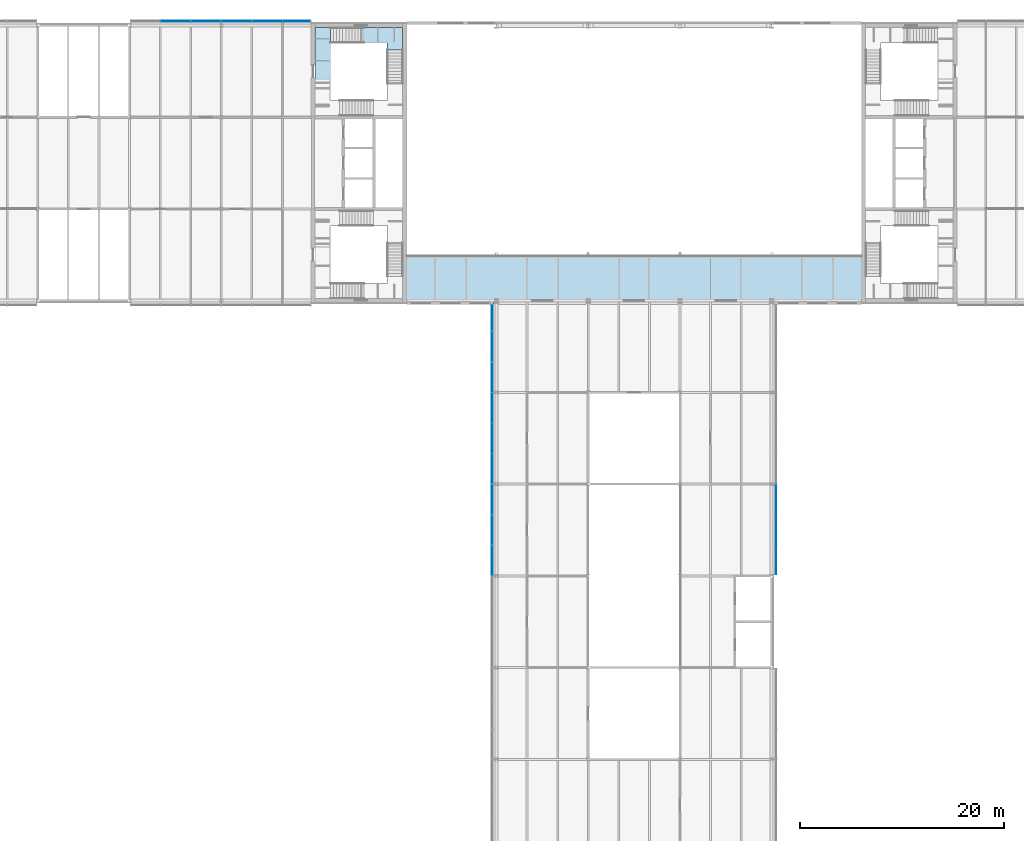
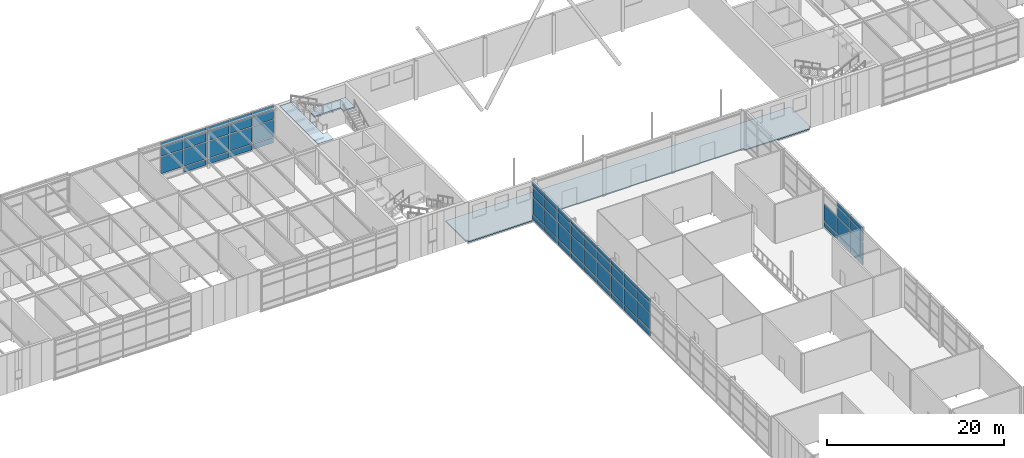
# One storey, part 32 of 46: 65 plates, 3 slabs, 4 elements without a shape of their own.
"""IFC4 building model written with IfcOpenShell, lengths in metres."""

from ifc_helpers import new_model, si_unit, direction, frame, origin, origin_2d, place, context, subcontext, project, spatial, polyline, rectangle, outline, extrude, material, layer, layer_set, type_object, element, aggregate, save


model = new_model("IFC4")

# Units and contexts
model_context = context("Model", 3, precision=1e-05, world=origin(), true_north=direction((0.0, 1.0)))
body_context = subcontext(model_context, "Body", "Model", "MODEL_VIEW")
ifc_project = project(units=[si_unit("LENGTHUNIT", "METRE"), si_unit("AREAUNIT", "SQUARE_METRE"), si_unit("VOLUMEUNIT", "CUBIC_METRE"), si_unit("PLANEANGLEUNIT", "RADIAN"), si_unit("MASSUNIT", "GRAM", prefix="KILO")], contexts=[model_context])

# Site, building, storey
site_placement = place(None, origin())
site = spatial("IfcSite", under=ifc_project, at=site_placement, CompositionType="ELEMENT")
building_placement = place(site_placement, origin())
building = spatial("IfcBuilding", under=site, at=building_placement, Name="Azimuth Sports and Learning Centre", CompositionType="ELEMENT")
storey_placement = place(building_placement, frame((0.0, 0.0, 21.60009765625)))
storey = spatial("IfcBuildingStorey", under=building, at=storey_placement, Name="L04", CompositionType="ELEMENT", Elevation=21.60009765625)

# Stair, slabs
ifc_material_1 = material(Name="Concrete C32/40", Category="concrete")
stair_type = type_object("IfcStairType", Name="Square-well stair core 5400 storey", PredefinedType="THREE_QUARTER_TURN_STAIR", material=ifc_material_1)
stair_placement = place(storey_placement, origin())
stair = element("IfcStair", 1, at=stair_placement, inside=storey, type_object=stair_type, Name="Stair W2 L04-L05", PredefinedType="THREE_QUARTER_TURN_STAIR")
ifc_material_2 = material(Name="Concrete C32/40", Category="concrete")
ifc_layer_1 = layer(ifc_material_2, 0.199951171875)
ifc_layer_set_1 = layer_set([ifc_layer_1], Name="Concrete C32/40")
slab_type_1 = type_object("IfcSlabType", Name="Concrete stair landing", PredefinedType="LANDING", material=ifc_layer_set_1)
slab_1_placement = place(storey_placement, frame((0.0, 0.0, 3.39990234375)))
slab_1 = element("IfcSlab", 2, at=slab_1_placement, type_object=slab_type_1, Name="Stair W2 L04 landing 3", PredefinedType="LANDING", context=body_context, shape_type="SweptSolid", body=[
    extrude(outline(polyline([(61.2900390625, 115.2900390625), (61.2900390625, 114.609375), (62.7900390625, 114.609375), (62.7900390625, 116.7900390625), (57.909912109375, 116.7900390625), (57.909912109375, 115.2900390625), (61.2900390625, 115.2900390625)])), origin(), (0.0, 0.0, 1.0), 0.199951171875),
])
slab_2_placement = place(storey_placement, frame((0.0, 0.0, 5.199951171875)))
slab_2 = element("IfcSlab", 3, at=slab_2_placement, type_object=slab_type_1, Name="Stair W2 L04 landing 4", PredefinedType="LANDING", context=body_context, shape_type="SweptSolid", body=[
    extrude(outline(polyline([(55.7099609375, 115.2900390625), (55.710693359375, 115.2900390625), (55.710693359375, 116.7900390625), (54.2099609375, 116.7900390625), (54.2099609375, 108.159912109375), (56.25, 108.159912109375), (56.25, 109.659912109375), (55.7099609375, 109.659912109375), (55.7099609375, 115.2900390625)])), origin(), (0.0, 0.0, 1.0), 0.199951171875),
])
aggregate(stair, [slab_1, slab_2])

# Slab
ifc_material_3 = material(Name="Concrete C30/37", Category="concrete")
ifc_layer_2 = layer(ifc_material_3, 0.14990234375)
ifc_layer_set_2 = layer_set([ifc_layer_2], Name="Concrete C30/37")
slab_type_2 = type_object("IfcSlabType", Name="Gallery floor slab 150", PredefinedType="FLOOR", material=ifc_layer_set_2)
slab_3_placement = place(storey_placement, frame((0.0, 0.0, -0.150146484375)))
element("IfcSlab", 4, at=slab_3_placement, inside=storey, type_object=slab_type_2, Name="Slab GALLERY L04", PredefinedType="FLOOR", context=body_context, shape_type="SweptSolid", body=[
    extrude(outline(polyline([(63.199951171875, 89.699951171875), (71.699951171875, 89.699951171875), (71.699951171875, 90.0), (99.300048828125, 90.0), (99.300048828125, 89.699951171875), (107.800048828125, 89.699951171875), (107.800048828125, 90.0), (108.0, 90.0), (108.0, 94.5), (63.0, 94.5), (63.0, 90.0), (63.199951171875, 90.0), (63.199951171875, 89.699951171875)])), origin(), (0.0, 0.0, 1.0), 0.150146484375),
])

# Curtain wall, plates
ifc_material_4 = material(Name="Aluminium and glass", Category="aluminium")
curtain_wall_type_1 = type_object("IfcCurtainWallType", Name="Curtain wall podium stem 240", PredefinedType="NOTDEFINED", material=ifc_material_4)
curtain_wall_1_placement = place(storey_placement, origin())
curtain_wall_1 = element("IfcCurtainWall", 5, at=curtain_wall_1_placement, inside=storey, type_object=curtain_wall_type_1, Name="Curtain wall CW04-003", PredefinedType="NOTDEFINED")
ifc_material_5 = material(Name="Insulated aluminium panel", Category="aluminium")
ifc_layer_3 = layer(ifc_material_5, 0.06005859375)
ifc_layer_set_3 = layer_set([ifc_layer_3], Name="Insulated aluminium panel")
plate_type_1 = type_object("IfcPlateType", Name="Spandrel panel 60 mm", PredefinedType="CURTAIN_PANEL", material=ifc_layer_set_3)
plate_1_placement = place(storey_placement, frame((71.580078125, 88.330078125, 0.1201171875), z_axis=(0.0, 0.0, 1.0), x_axis=(0.0, -1.0, 0.0)))
plate_1 = element("IfcPlate", 6, at=plate_1_placement, type_object=plate_type_1, Name="CW04-003 panel 1.1", PredefinedType="CURTAIN_PANEL", context=body_context, shape_type="SweptSolid", body=[
    extrude(rectangle(XDim=2.580078125, YDim=0.06005859375, at=origin_2d()), origin(), (0.0, 0.0, 1.0), 0.719970703125),
])
plate_2_placement = place(storey_placement, frame((71.580078125, 88.330078125, 4.760009765625), z_axis=(0.0, 0.0, 1.0), x_axis=(0.0, -1.0, 0.0)))
plate_2 = element("IfcPlate", 7, at=plate_2_placement, type_object=plate_type_1, Name="CW04-003 panel 1.4", PredefinedType="CURTAIN_PANEL", context=body_context, shape_type="SweptSolid", body=[
    extrude(rectangle(XDim=2.580078125, YDim=0.06005859375, at=origin_2d()), origin(), (0.0, 0.0, 1.0), 0.52001953125),
])
plate_3_placement = place(storey_placement, frame((71.580078125, 85.5, 0.1201171875), z_axis=(0.0, 0.0, 1.0), x_axis=(0.0, -1.0, 0.0)))
plate_3 = element("IfcPlate", 8, at=plate_3_placement, type_object=plate_type_1, Name="CW04-003 panel 2.1", PredefinedType="CURTAIN_PANEL", context=body_context, shape_type="SweptSolid", body=[
    extrude(rectangle(XDim=2.919921875, YDim=0.06005859375, at=origin_2d()), origin(), (0.0, 0.0, 1.0), 0.719970703125),
])
plate_4_placement = place(storey_placement, frame((71.580078125, 85.5, 4.760009765625), z_axis=(0.0, 0.0, 1.0), x_axis=(0.0, -1.0, 0.0)))
plate_4 = element("IfcPlate", 9, at=plate_4_placement, type_object=plate_type_1, Name="CW04-003 panel 2.4", PredefinedType="CURTAIN_PANEL", context=body_context, shape_type="SweptSolid", body=[
    extrude(rectangle(XDim=2.919921875, YDim=0.06005859375, at=origin_2d()), origin(), (0.0, 0.0, 1.0), 0.52001953125),
])
plate_5_placement = place(storey_placement, frame((71.580078125, 82.5, 0.1201171875), z_axis=(0.0, 0.0, 1.0), x_axis=(0.0, -1.0, 0.0)))
plate_5 = element("IfcPlate", 10, at=plate_5_placement, type_object=plate_type_1, Name="CW04-003 panel 3.1", PredefinedType="CURTAIN_PANEL", context=body_context, shape_type="SweptSolid", body=[
    extrude(rectangle(XDim=2.919921875, YDim=0.06005859375, at=origin_2d()), origin(), (0.0, 0.0, 1.0), 0.719970703125),
])
plate_6_placement = place(storey_placement, frame((71.580078125, 82.5, 4.760009765625), z_axis=(0.0, 0.0, 1.0), x_axis=(0.0, -1.0, 0.0)))
plate_6 = element("IfcPlate", 11, at=plate_6_placement, type_object=plate_type_1, Name="CW04-003 panel 3.4", PredefinedType="CURTAIN_PANEL", context=body_context, shape_type="SweptSolid", body=[
    extrude(rectangle(XDim=2.919921875, YDim=0.06005859375, at=origin_2d()), origin(), (0.0, 0.0, 1.0), 0.52001953125),
])
plate_7_placement = place(storey_placement, frame((71.580078125, 79.5, 0.1201171875), z_axis=(0.0, 0.0, 1.0), x_axis=(0.0, -1.0, 0.0)))
plate_7 = element("IfcPlate", 12, at=plate_7_placement, type_object=plate_type_1, Name="CW04-003 panel 4.1", PredefinedType="CURTAIN_PANEL", context=body_context, shape_type="SweptSolid", body=[
    extrude(rectangle(XDim=2.919921875, YDim=0.06005859375, at=origin_2d()), origin(), (0.0, 0.0, 1.0), 0.719970703125),
])
plate_8_placement = place(storey_placement, frame((71.580078125, 79.5, 4.760009765625), z_axis=(0.0, 0.0, 1.0), x_axis=(0.0, -1.0, 0.0)))
plate_8 = element("IfcPlate", 13, at=plate_8_placement, type_object=plate_type_1, Name="CW04-003 panel 4.4", PredefinedType="CURTAIN_PANEL", context=body_context, shape_type="SweptSolid", body=[
    extrude(rectangle(XDim=2.919921875, YDim=0.06005859375, at=origin_2d()), origin(), (0.0, 0.0, 1.0), 0.52001953125),
])
plate_9_placement = place(storey_placement, frame((71.580078125, 76.5, 0.1201171875), z_axis=(0.0, 0.0, 1.0), x_axis=(0.0, -1.0, 0.0)))
plate_9 = element("IfcPlate", 14, at=plate_9_placement, type_object=plate_type_1, Name="CW04-003 panel 5.1", PredefinedType="CURTAIN_PANEL", context=body_context, shape_type="SweptSolid", body=[
    extrude(rectangle(XDim=2.919921875, YDim=0.06005859375, at=origin_2d()), origin(), (0.0, 0.0, 1.0), 0.719970703125),
])
plate_10_placement = place(storey_placement, frame((71.580078125, 76.5, 4.760009765625), z_axis=(0.0, 0.0, 1.0), x_axis=(0.0, -1.0, 0.0)))
plate_10 = element("IfcPlate", 15, at=plate_10_placement, type_object=plate_type_1, Name="CW04-003 panel 5.4", PredefinedType="CURTAIN_PANEL", context=body_context, shape_type="SweptSolid", body=[
    extrude(rectangle(XDim=2.919921875, YDim=0.06005859375, at=origin_2d()), origin(), (0.0, 0.0, 1.0), 0.52001953125),
])
plate_11_placement = place(storey_placement, frame((71.580078125, 73.5, 0.1201171875), z_axis=(0.0, 0.0, 1.0), x_axis=(0.0, -1.0, 0.0)))
plate_11 = element("IfcPlate", 16, at=plate_11_placement, type_object=plate_type_1, Name="CW04-003 panel 6.1", PredefinedType="CURTAIN_PANEL", context=body_context, shape_type="SweptSolid", body=[
    extrude(rectangle(XDim=2.919921875, YDim=0.06005859375, at=origin_2d()), origin(), (0.0, 0.0, 1.0), 0.719970703125),
])
plate_12_placement = place(storey_placement, frame((71.580078125, 73.5, 4.760009765625), z_axis=(0.0, 0.0, 1.0), x_axis=(0.0, -1.0, 0.0)))
plate_12 = element("IfcPlate", 17, at=plate_12_placement, type_object=plate_type_1, Name="CW04-003 panel 6.4", PredefinedType="CURTAIN_PANEL", context=body_context, shape_type="SweptSolid", body=[
    extrude(rectangle(XDim=2.919921875, YDim=0.06005859375, at=origin_2d()), origin(), (0.0, 0.0, 1.0), 0.52001953125),
])
plate_13_placement = place(storey_placement, frame((71.580078125, 70.5, 0.1201171875), z_axis=(0.0, 0.0, 1.0), x_axis=(0.0, -1.0, 0.0)))
plate_13 = element("IfcPlate", 18, at=plate_13_placement, type_object=plate_type_1, Name="CW04-003 panel 7.1", PredefinedType="CURTAIN_PANEL", context=body_context, shape_type="SweptSolid", body=[
    extrude(rectangle(XDim=2.919921875, YDim=0.06005859375, at=origin_2d()), origin(), (0.0, 0.0, 1.0), 0.719970703125),
])
plate_14_placement = place(storey_placement, frame((71.580078125, 70.5, 4.760009765625), z_axis=(0.0, 0.0, 1.0), x_axis=(0.0, -1.0, 0.0)))
plate_14 = element("IfcPlate", 19, at=plate_14_placement, type_object=plate_type_1, Name="CW04-003 panel 7.4", PredefinedType="CURTAIN_PANEL", context=body_context, shape_type="SweptSolid", body=[
    extrude(rectangle(XDim=2.919921875, YDim=0.06005859375, at=origin_2d()), origin(), (0.0, 0.0, 1.0), 0.52001953125),
])
plate_15_placement = place(storey_placement, frame((71.580078125, 67.5, 0.1201171875), z_axis=(0.0, 0.0, 1.0), x_axis=(0.0, -1.0, 0.0)))
plate_15 = element("IfcPlate", 20, at=plate_15_placement, type_object=plate_type_1, Name="CW04-003 panel 8.1", PredefinedType="CURTAIN_PANEL", context=body_context, shape_type="SweptSolid", body=[
    extrude(rectangle(XDim=2.919921875, YDim=0.06005859375, at=origin_2d()), origin(), (0.0, 0.0, 1.0), 0.719970703125),
])
plate_16_placement = place(storey_placement, frame((71.580078125, 67.5, 4.760009765625), z_axis=(0.0, 0.0, 1.0), x_axis=(0.0, -1.0, 0.0)))
plate_16 = element("IfcPlate", 21, at=plate_16_placement, type_object=plate_type_1, Name="CW04-003 panel 8.4", PredefinedType="CURTAIN_PANEL", context=body_context, shape_type="SweptSolid", body=[
    extrude(rectangle(XDim=2.919921875, YDim=0.06005859375, at=origin_2d()), origin(), (0.0, 0.0, 1.0), 0.52001953125),
])
plate_17_placement = place(storey_placement, frame((71.580078125, 64.5, 0.1201171875), z_axis=(0.0, 0.0, 1.0), x_axis=(0.0, -1.0, 0.0)))
plate_17 = element("IfcPlate", 22, at=plate_17_placement, type_object=plate_type_1, Name="CW04-003 panel 9.1", PredefinedType="CURTAIN_PANEL", context=body_context, shape_type="SweptSolid", body=[
    extrude(rectangle(XDim=2.919921875, YDim=0.06005859375, at=origin_2d()), origin(), (0.0, 0.0, 1.0), 0.719970703125),
])
plate_18_placement = place(storey_placement, frame((71.580078125, 64.5, 4.760009765625), z_axis=(0.0, 0.0, 1.0), x_axis=(0.0, -1.0, 0.0)))
plate_18 = element("IfcPlate", 23, at=plate_18_placement, type_object=plate_type_1, Name="CW04-003 panel 9.4", PredefinedType="CURTAIN_PANEL", context=body_context, shape_type="SweptSolid", body=[
    extrude(rectangle(XDim=2.919921875, YDim=0.06005859375, at=origin_2d()), origin(), (0.0, 0.0, 1.0), 0.52001953125),
])

curtain_wall_2_placement = place(storey_placement, origin())
curtain_wall_2 = element("IfcCurtainWall", 24, at=curtain_wall_2_placement, inside=storey, type_object=curtain_wall_type_1, Name="Curtain wall CW04-008", PredefinedType="NOTDEFINED")
plate_19_placement = place(storey_placement, frame((99.419921875, 64.570068359375, 0.1201171875), z_axis=(0.0, 0.0, 1.0), x_axis=(0.0, 1.0, 0.0)))
plate_19 = element("IfcPlate", 25, at=plate_19_placement, type_object=plate_type_1, Name="CW04-008 panel 1.1", PredefinedType="CURTAIN_PANEL", context=body_context, shape_type="SweptSolid", body=[
    extrude(rectangle(XDim=2.780029296875, YDim=0.06005859375, at=origin_2d()), origin(), (0.0, 0.0, 1.0), 0.719970703125),
])
plate_20_placement = place(storey_placement, frame((99.419921875, 64.570068359375, 4.760009765625), z_axis=(0.0, 0.0, 1.0), x_axis=(0.0, 1.0, 0.0)))
plate_20 = element("IfcPlate", 26, at=plate_20_placement, type_object=plate_type_1, Name="CW04-008 panel 1.4", PredefinedType="CURTAIN_PANEL", context=body_context, shape_type="SweptSolid", body=[
    extrude(rectangle(XDim=2.780029296875, YDim=0.06005859375, at=origin_2d()), origin(), (0.0, 0.0, 1.0), 0.52001953125),
])
plate_21_placement = place(storey_placement, frame((99.419921875, 67.5, 0.1201171875), z_axis=(0.0, 0.0, 1.0), x_axis=(0.0, 1.0, 0.0)))
plate_21 = element("IfcPlate", 27, at=plate_21_placement, type_object=plate_type_1, Name="CW04-008 panel 2.1", PredefinedType="CURTAIN_PANEL", context=body_context, shape_type="SweptSolid", body=[
    extrude(rectangle(XDim=2.919921875, YDim=0.06005859375, at=origin_2d()), origin(), (0.0, 0.0, 1.0), 0.719970703125),
])
plate_22_placement = place(storey_placement, frame((99.419921875, 67.5, 4.760009765625), z_axis=(0.0, 0.0, 1.0), x_axis=(0.0, 1.0, 0.0)))
plate_22 = element("IfcPlate", 28, at=plate_22_placement, type_object=plate_type_1, Name="CW04-008 panel 2.4", PredefinedType="CURTAIN_PANEL", context=body_context, shape_type="SweptSolid", body=[
    extrude(rectangle(XDim=2.919921875, YDim=0.06005859375, at=origin_2d()), origin(), (0.0, 0.0, 1.0), 0.52001953125),
])
plate_23_placement = place(storey_placement, frame((99.419921875, 70.5, 0.1201171875), z_axis=(0.0, 0.0, 1.0), x_axis=(0.0, 1.0, 0.0)))
plate_23 = element("IfcPlate", 29, at=plate_23_placement, type_object=plate_type_1, Name="CW04-008 panel 3.1", PredefinedType="CURTAIN_PANEL", context=body_context, shape_type="SweptSolid", body=[
    extrude(rectangle(XDim=2.919921875, YDim=0.06005859375, at=origin_2d()), origin(), (0.0, 0.0, 1.0), 0.719970703125),
])

ifc_material_6 = material(Name="Aluminium and glass", Category="aluminium")
curtain_wall_type_2 = type_object("IfcCurtainWallType", Name="Curtain wall podium wing 240", PredefinedType="NOTDEFINED", material=ifc_material_6)
curtain_wall_3_placement = place(storey_placement, origin())
curtain_wall_3 = element("IfcCurtainWall", 30, at=curtain_wall_3_placement, inside=storey, type_object=curtain_wall_type_2, Name="Curtain wall CW04-013", PredefinedType="NOTDEFINED")
plate_24_placement = place(storey_placement, frame((52.3798828125, 117.419921875, 0.1201171875), z_axis=(0.0, 0.0, 1.0), x_axis=(-1.0, 0.0, 0.0)))
plate_24 = element("IfcPlate", 31, at=plate_24_placement, type_object=plate_type_1, Name="CW04-013 panel 1.1", PredefinedType="CURTAIN_PANEL", context=body_context, shape_type="SweptSolid", body=[
    extrude(rectangle(XDim=2.679931640625, YDim=0.06005859375, at=origin_2d()), origin(), (0.0, 0.0, 1.0), 0.719970703125),
])
plate_25_placement = place(storey_placement, frame((52.3798828125, 117.419921875, 4.760009765625), z_axis=(0.0, 0.0, 1.0), x_axis=(-1.0, 0.0, 0.0)))
plate_25 = element("IfcPlate", 32, at=plate_25_placement, type_object=plate_type_1, Name="CW04-013 panel 1.4", PredefinedType="CURTAIN_PANEL", context=body_context, shape_type="SweptSolid", body=[
    extrude(rectangle(XDim=2.679931640625, YDim=0.06005859375, at=origin_2d()), origin(), (0.0, 0.0, 1.0), 0.52001953125),
])
plate_26_placement = place(storey_placement, frame((49.5, 117.419921875, 0.1201171875), z_axis=(0.0, 0.0, 1.0), x_axis=(-1.0, 0.0, 0.0)))
plate_26 = element("IfcPlate", 33, at=plate_26_placement, type_object=plate_type_1, Name="CW04-013 panel 2.1", PredefinedType="CURTAIN_PANEL", context=body_context, shape_type="SweptSolid", body=[
    extrude(rectangle(XDim=2.919921875, YDim=0.06005859375, at=origin_2d()), origin(), (0.0, 0.0, 1.0), 0.719970703125),
])
plate_27_placement = place(storey_placement, frame((49.5, 117.419921875, 4.760009765625), z_axis=(0.0, 0.0, 1.0), x_axis=(-1.0, 0.0, 0.0)))
plate_27 = element("IfcPlate", 34, at=plate_27_placement, type_object=plate_type_1, Name="CW04-013 panel 2.4", PredefinedType="CURTAIN_PANEL", context=body_context, shape_type="SweptSolid", body=[
    extrude(rectangle(XDim=2.919921875, YDim=0.06005859375, at=origin_2d()), origin(), (0.0, 0.0, 1.0), 0.52001953125),
])
plate_28_placement = place(storey_placement, frame((46.5, 117.419921875, 0.1201171875), z_axis=(0.0, 0.0, 1.0), x_axis=(-1.0, 0.0, 0.0)))
plate_28 = element("IfcPlate", 35, at=plate_28_placement, type_object=plate_type_1, Name="CW04-013 panel 3.1", PredefinedType="CURTAIN_PANEL", context=body_context, shape_type="SweptSolid", body=[
    extrude(rectangle(XDim=2.919921875, YDim=0.06005859375, at=origin_2d()), origin(), (0.0, 0.0, 1.0), 0.719970703125),
])
plate_29_placement = place(storey_placement, frame((46.5, 117.419921875, 4.760009765625), z_axis=(0.0, 0.0, 1.0), x_axis=(-1.0, 0.0, 0.0)))
plate_29 = element("IfcPlate", 36, at=plate_29_placement, type_object=plate_type_1, Name="CW04-013 panel 3.4", PredefinedType="CURTAIN_PANEL", context=body_context, shape_type="SweptSolid", body=[
    extrude(rectangle(XDim=2.919921875, YDim=0.06005859375, at=origin_2d()), origin(), (0.0, 0.0, 1.0), 0.52001953125),
])
plate_30_placement = place(storey_placement, frame((43.5, 117.419921875, 0.1201171875), z_axis=(0.0, 0.0, 1.0), x_axis=(-1.0, 0.0, 0.0)))
plate_30 = element("IfcPlate", 37, at=plate_30_placement, type_object=plate_type_1, Name="CW04-013 panel 4.1", PredefinedType="CURTAIN_PANEL", context=body_context, shape_type="SweptSolid", body=[
    extrude(rectangle(XDim=2.919921875, YDim=0.06005859375, at=origin_2d()), origin(), (0.0, 0.0, 1.0), 0.719970703125),
])
plate_31_placement = place(storey_placement, frame((43.5, 117.419921875, 4.760009765625), z_axis=(0.0, 0.0, 1.0), x_axis=(-1.0, 0.0, 0.0)))
plate_31 = element("IfcPlate", 38, at=plate_31_placement, type_object=plate_type_1, Name="CW04-013 panel 4.4", PredefinedType="CURTAIN_PANEL", context=body_context, shape_type="SweptSolid", body=[
    extrude(rectangle(XDim=2.919921875, YDim=0.06005859375, at=origin_2d()), origin(), (0.0, 0.0, 1.0), 0.52001953125),
])
plate_32_placement = place(storey_placement, frame((40.5, 117.419921875, 4.760009765625), z_axis=(0.0, 0.0, 1.0), x_axis=(-1.0, 0.0, 0.0)))
plate_32 = element("IfcPlate", 39, at=plate_32_placement, type_object=plate_type_1, Name="CW04-013 panel 5.4", PredefinedType="CURTAIN_PANEL", context=body_context, shape_type="SweptSolid", body=[
    extrude(rectangle(XDim=2.919921875, YDim=0.06005859375, at=origin_2d()), origin(), (0.0, 0.0, 1.0), 0.52001953125),
])

# Plate
ifc_material_7 = material(Name="Glass", Category="glass")
ifc_layer_4 = layer(ifc_material_7, 0.0439453125)
ifc_layer_set_4 = layer_set([ifc_layer_4], Name="Glass")
plate_type_2 = type_object("IfcPlateType", Name="Vision glass 44 mm", PredefinedType="CURTAIN_PANEL", material=ifc_layer_set_4)
plate_33_placement = place(storey_placement, frame((71.580078125, 88.330078125, 0.9599609375), z_axis=(0.0, 0.0, 1.0), x_axis=(0.0, -1.0, 0.0)))
plate_33 = element("IfcPlate", 40, at=plate_33_placement, type_object=plate_type_2, Name="CW04-003 panel 1.2", PredefinedType="CURTAIN_PANEL", context=body_context, shape_type="SweptSolid", body=[
    extrude(rectangle(XDim=2.580078125, YDim=0.0439453125, at=origin_2d()), origin(), (0.0, 0.0, 1.0), 2.280029296875),
])

plate_34_placement = place(storey_placement, frame((71.580078125, 88.330078125, 3.35986328125), z_axis=(0.0, 0.0, 1.0), x_axis=(0.0, -1.0, 0.0)))
plate_34 = element("IfcPlate", 41, at=plate_34_placement, type_object=plate_type_2, Name="CW04-003 panel 1.3", PredefinedType="CURTAIN_PANEL", context=body_context, shape_type="SweptSolid", body=[
    extrude(rectangle(XDim=2.580078125, YDim=0.0439453125, at=origin_2d()), origin(), (0.0, 0.0, 1.0), 1.280029296875),
])

plate_35_placement = place(storey_placement, frame((71.580078125, 85.5, 0.9599609375), z_axis=(0.0, 0.0, 1.0), x_axis=(0.0, -1.0, 0.0)))
plate_35 = element("IfcPlate", 42, at=plate_35_placement, type_object=plate_type_2, Name="CW04-003 panel 2.2", PredefinedType="CURTAIN_PANEL", context=body_context, shape_type="SweptSolid", body=[
    extrude(rectangle(XDim=2.919921875, YDim=0.0439453125, at=origin_2d()), origin(), (0.0, 0.0, 1.0), 2.280029296875),
])

plate_36_placement = place(storey_placement, frame((71.580078125, 85.5, 3.35986328125), z_axis=(0.0, 0.0, 1.0), x_axis=(0.0, -1.0, 0.0)))
plate_36 = element("IfcPlate", 43, at=plate_36_placement, type_object=plate_type_2, Name="CW04-003 panel 2.3", PredefinedType="CURTAIN_PANEL", context=body_context, shape_type="SweptSolid", body=[
    extrude(rectangle(XDim=2.919921875, YDim=0.0439453125, at=origin_2d()), origin(), (0.0, 0.0, 1.0), 1.280029296875),
])

plate_37_placement = place(storey_placement, frame((71.580078125, 82.5, 0.9599609375), z_axis=(0.0, 0.0, 1.0), x_axis=(0.0, -1.0, 0.0)))
plate_37 = element("IfcPlate", 44, at=plate_37_placement, type_object=plate_type_2, Name="CW04-003 panel 3.2", PredefinedType="CURTAIN_PANEL", context=body_context, shape_type="SweptSolid", body=[
    extrude(rectangle(XDim=2.919921875, YDim=0.0439453125, at=origin_2d()), origin(), (0.0, 0.0, 1.0), 2.280029296875),
])

plate_38_placement = place(storey_placement, frame((71.580078125, 82.5, 3.35986328125), z_axis=(0.0, 0.0, 1.0), x_axis=(0.0, -1.0, 0.0)))
plate_38 = element("IfcPlate", 45, at=plate_38_placement, type_object=plate_type_2, Name="CW04-003 panel 3.3", PredefinedType="CURTAIN_PANEL", context=body_context, shape_type="SweptSolid", body=[
    extrude(rectangle(XDim=2.919921875, YDim=0.0439453125, at=origin_2d()), origin(), (0.0, 0.0, 1.0), 1.280029296875),
])

plate_39_placement = place(storey_placement, frame((71.580078125, 79.5, 0.9599609375), z_axis=(0.0, 0.0, 1.0), x_axis=(0.0, -1.0, 0.0)))
plate_39 = element("IfcPlate", 46, at=plate_39_placement, type_object=plate_type_2, Name="CW04-003 panel 4.2", PredefinedType="CURTAIN_PANEL", context=body_context, shape_type="SweptSolid", body=[
    extrude(rectangle(XDim=2.919921875, YDim=0.0439453125, at=origin_2d()), origin(), (0.0, 0.0, 1.0), 2.280029296875),
])

plate_40_placement = place(storey_placement, frame((71.580078125, 79.5, 3.35986328125), z_axis=(0.0, 0.0, 1.0), x_axis=(0.0, -1.0, 0.0)))
plate_40 = element("IfcPlate", 47, at=plate_40_placement, type_object=plate_type_2, Name="CW04-003 panel 4.3", PredefinedType="CURTAIN_PANEL", context=body_context, shape_type="SweptSolid", body=[
    extrude(rectangle(XDim=2.919921875, YDim=0.0439453125, at=origin_2d()), origin(), (0.0, 0.0, 1.0), 1.280029296875),
])

plate_41_placement = place(storey_placement, frame((71.580078125, 76.5, 0.9599609375), z_axis=(0.0, 0.0, 1.0), x_axis=(0.0, -1.0, 0.0)))
plate_41 = element("IfcPlate", 48, at=plate_41_placement, type_object=plate_type_2, Name="CW04-003 panel 5.2", PredefinedType="CURTAIN_PANEL", context=body_context, shape_type="SweptSolid", body=[
    extrude(rectangle(XDim=2.919921875, YDim=0.0439453125, at=origin_2d()), origin(), (0.0, 0.0, 1.0), 2.280029296875),
])

plate_42_placement = place(storey_placement, frame((71.580078125, 76.5, 3.35986328125), z_axis=(0.0, 0.0, 1.0), x_axis=(0.0, -1.0, 0.0)))
plate_42 = element("IfcPlate", 49, at=plate_42_placement, type_object=plate_type_2, Name="CW04-003 panel 5.3", PredefinedType="CURTAIN_PANEL", context=body_context, shape_type="SweptSolid", body=[
    extrude(rectangle(XDim=2.919921875, YDim=0.0439453125, at=origin_2d()), origin(), (0.0, 0.0, 1.0), 1.280029296875),
])

plate_43_placement = place(storey_placement, frame((71.580078125, 73.5, 0.9599609375), z_axis=(0.0, 0.0, 1.0), x_axis=(0.0, -1.0, 0.0)))
plate_43 = element("IfcPlate", 50, at=plate_43_placement, type_object=plate_type_2, Name="CW04-003 panel 6.2", PredefinedType="CURTAIN_PANEL", context=body_context, shape_type="SweptSolid", body=[
    extrude(rectangle(XDim=2.919921875, YDim=0.0439453125, at=origin_2d()), origin(), (0.0, 0.0, 1.0), 2.280029296875),
])

plate_44_placement = place(storey_placement, frame((71.580078125, 73.5, 3.35986328125), z_axis=(0.0, 0.0, 1.0), x_axis=(0.0, -1.0, 0.0)))
plate_44 = element("IfcPlate", 51, at=plate_44_placement, type_object=plate_type_2, Name="CW04-003 panel 6.3", PredefinedType="CURTAIN_PANEL", context=body_context, shape_type="SweptSolid", body=[
    extrude(rectangle(XDim=2.919921875, YDim=0.0439453125, at=origin_2d()), origin(), (0.0, 0.0, 1.0), 1.280029296875),
])

plate_45_placement = place(storey_placement, frame((71.580078125, 70.5, 0.9599609375), z_axis=(0.0, 0.0, 1.0), x_axis=(0.0, -1.0, 0.0)))
plate_45 = element("IfcPlate", 52, at=plate_45_placement, type_object=plate_type_2, Name="CW04-003 panel 7.2", PredefinedType="CURTAIN_PANEL", context=body_context, shape_type="SweptSolid", body=[
    extrude(rectangle(XDim=2.919921875, YDim=0.0439453125, at=origin_2d()), origin(), (0.0, 0.0, 1.0), 2.280029296875),
])

plate_46_placement = place(storey_placement, frame((71.580078125, 70.5, 3.35986328125), z_axis=(0.0, 0.0, 1.0), x_axis=(0.0, -1.0, 0.0)))
plate_46 = element("IfcPlate", 53, at=plate_46_placement, type_object=plate_type_2, Name="CW04-003 panel 7.3", PredefinedType="CURTAIN_PANEL", context=body_context, shape_type="SweptSolid", body=[
    extrude(rectangle(XDim=2.919921875, YDim=0.0439453125, at=origin_2d()), origin(), (0.0, 0.0, 1.0), 1.280029296875),
])

plate_47_placement = place(storey_placement, frame((71.580078125, 67.5, 0.9599609375), z_axis=(0.0, 0.0, 1.0), x_axis=(0.0, -1.0, 0.0)))
plate_47 = element("IfcPlate", 54, at=plate_47_placement, type_object=plate_type_2, Name="CW04-003 panel 8.2", PredefinedType="CURTAIN_PANEL", context=body_context, shape_type="SweptSolid", body=[
    extrude(rectangle(XDim=2.919921875, YDim=0.0439453125, at=origin_2d()), origin(), (0.0, 0.0, 1.0), 2.280029296875),
])

plate_48_placement = place(storey_placement, frame((71.580078125, 67.5, 3.35986328125), z_axis=(0.0, 0.0, 1.0), x_axis=(0.0, -1.0, 0.0)))
plate_48 = element("IfcPlate", 55, at=plate_48_placement, type_object=plate_type_2, Name="CW04-003 panel 8.3", PredefinedType="CURTAIN_PANEL", context=body_context, shape_type="SweptSolid", body=[
    extrude(rectangle(XDim=2.919921875, YDim=0.0439453125, at=origin_2d()), origin(), (0.0, 0.0, 1.0), 1.280029296875),
])

plate_49_placement = place(storey_placement, frame((71.580078125, 64.5, 0.9599609375), z_axis=(0.0, 0.0, 1.0), x_axis=(0.0, -1.0, 0.0)))
plate_49 = element("IfcPlate", 56, at=plate_49_placement, type_object=plate_type_2, Name="CW04-003 panel 9.2", PredefinedType="CURTAIN_PANEL", context=body_context, shape_type="SweptSolid", body=[
    extrude(rectangle(XDim=2.919921875, YDim=0.0439453125, at=origin_2d()), origin(), (0.0, 0.0, 1.0), 2.280029296875),
])

plate_50_placement = place(storey_placement, frame((71.580078125, 64.5, 3.35986328125), z_axis=(0.0, 0.0, 1.0), x_axis=(0.0, -1.0, 0.0)))
plate_50 = element("IfcPlate", 57, at=plate_50_placement, type_object=plate_type_2, Name="CW04-003 panel 9.3", PredefinedType="CURTAIN_PANEL", context=body_context, shape_type="SweptSolid", body=[
    extrude(rectangle(XDim=2.919921875, YDim=0.0439453125, at=origin_2d()), origin(), (0.0, 0.0, 1.0), 1.280029296875),
])

aggregate(curtain_wall_1, [plate_1, plate_33, plate_34, plate_2, plate_3, plate_35, plate_36, plate_4, plate_5, plate_37, plate_38, plate_6, plate_7, plate_39, plate_40, plate_8, plate_9, plate_41, plate_42, plate_10, plate_11, plate_43, plate_44, plate_12, plate_13, plate_45, plate_46, plate_14, plate_15, plate_47, plate_48, plate_16, plate_17, plate_49, plate_50, plate_18])

plate_51_placement = place(storey_placement, frame((99.419921875, 64.570068359375, 0.9599609375), z_axis=(0.0, 0.0, 1.0), x_axis=(0.0, 1.0, 0.0)))
plate_51 = element("IfcPlate", 58, at=plate_51_placement, type_object=plate_type_2, Name="CW04-008 panel 1.2", PredefinedType="CURTAIN_PANEL", context=body_context, shape_type="SweptSolid", body=[
    extrude(rectangle(XDim=2.780029296875, YDim=0.0439453125, at=origin_2d()), origin(), (0.0, 0.0, 1.0), 2.280029296875),
])

plate_52_placement = place(storey_placement, frame((99.419921875, 64.570068359375, 3.35986328125), z_axis=(0.0, 0.0, 1.0), x_axis=(0.0, 1.0, 0.0)))
plate_52 = element("IfcPlate", 59, at=plate_52_placement, type_object=plate_type_2, Name="CW04-008 panel 1.3", PredefinedType="CURTAIN_PANEL", context=body_context, shape_type="SweptSolid", body=[
    extrude(rectangle(XDim=2.780029296875, YDim=0.0439453125, at=origin_2d()), origin(), (0.0, 0.0, 1.0), 1.280029296875),
])

plate_53_placement = place(storey_placement, frame((99.419921875, 67.5, 0.9599609375), z_axis=(0.0, 0.0, 1.0), x_axis=(0.0, 1.0, 0.0)))
plate_53 = element("IfcPlate", 60, at=plate_53_placement, type_object=plate_type_2, Name="CW04-008 panel 2.2", PredefinedType="CURTAIN_PANEL", context=body_context, shape_type="SweptSolid", body=[
    extrude(rectangle(XDim=2.919921875, YDim=0.0439453125, at=origin_2d()), origin(), (0.0, 0.0, 1.0), 2.280029296875),
])

plate_54_placement = place(storey_placement, frame((99.419921875, 67.5, 3.35986328125), z_axis=(0.0, 0.0, 1.0), x_axis=(0.0, 1.0, 0.0)))
plate_54 = element("IfcPlate", 61, at=plate_54_placement, type_object=plate_type_2, Name="CW04-008 panel 2.3", PredefinedType="CURTAIN_PANEL", context=body_context, shape_type="SweptSolid", body=[
    extrude(rectangle(XDim=2.919921875, YDim=0.0439453125, at=origin_2d()), origin(), (0.0, 0.0, 1.0), 1.280029296875),
])

plate_55_placement = place(storey_placement, frame((99.419921875, 70.5, 0.9599609375), z_axis=(0.0, 0.0, 1.0), x_axis=(0.0, 1.0, 0.0)))
plate_55 = element("IfcPlate", 62, at=plate_55_placement, type_object=plate_type_2, Name="CW04-008 panel 3.2", PredefinedType="CURTAIN_PANEL", context=body_context, shape_type="SweptSolid", body=[
    extrude(rectangle(XDim=2.919921875, YDim=0.0439453125, at=origin_2d()), origin(), (0.0, 0.0, 1.0), 2.280029296875),
])

aggregate(curtain_wall_2, [plate_19, plate_51, plate_52, plate_20, plate_21, plate_53, plate_54, plate_22, plate_23, plate_55])

plate_56_placement = place(storey_placement, frame((52.3798828125, 117.419921875, 0.9599609375), z_axis=(0.0, 0.0, 1.0), x_axis=(-1.0, 0.0, 0.0)))
plate_56 = element("IfcPlate", 63, at=plate_56_placement, type_object=plate_type_2, Name="CW04-013 panel 1.2", PredefinedType="CURTAIN_PANEL", context=body_context, shape_type="SweptSolid", body=[
    extrude(rectangle(XDim=2.679931640625, YDim=0.0439453125, at=origin_2d()), origin(), (0.0, 0.0, 1.0), 2.280029296875),
])

plate_57_placement = place(storey_placement, frame((52.3798828125, 117.419921875, 3.35986328125), z_axis=(0.0, 0.0, 1.0), x_axis=(-1.0, 0.0, 0.0)))
plate_57 = element("IfcPlate", 64, at=plate_57_placement, type_object=plate_type_2, Name="CW04-013 panel 1.3", PredefinedType="CURTAIN_PANEL", context=body_context, shape_type="SweptSolid", body=[
    extrude(rectangle(XDim=2.679931640625, YDim=0.0439453125, at=origin_2d()), origin(), (0.0, 0.0, 1.0), 1.280029296875),
])

plate_58_placement = place(storey_placement, frame((49.5, 117.419921875, 0.9599609375), z_axis=(0.0, 0.0, 1.0), x_axis=(-1.0, 0.0, 0.0)))
plate_58 = element("IfcPlate", 65, at=plate_58_placement, type_object=plate_type_2, Name="CW04-013 panel 2.2", PredefinedType="CURTAIN_PANEL", context=body_context, shape_type="SweptSolid", body=[
    extrude(rectangle(XDim=2.919921875, YDim=0.0439453125, at=origin_2d()), origin(), (0.0, 0.0, 1.0), 2.280029296875),
])

plate_59_placement = place(storey_placement, frame((49.5, 117.419921875, 3.35986328125), z_axis=(0.0, 0.0, 1.0), x_axis=(-1.0, 0.0, 0.0)))
plate_59 = element("IfcPlate", 66, at=plate_59_placement, type_object=plate_type_2, Name="CW04-013 panel 2.3", PredefinedType="CURTAIN_PANEL", context=body_context, shape_type="SweptSolid", body=[
    extrude(rectangle(XDim=2.919921875, YDim=0.0439453125, at=origin_2d()), origin(), (0.0, 0.0, 1.0), 1.280029296875),
])

plate_60_placement = place(storey_placement, frame((46.5, 117.419921875, 0.9599609375), z_axis=(0.0, 0.0, 1.0), x_axis=(-1.0, 0.0, 0.0)))
plate_60 = element("IfcPlate", 67, at=plate_60_placement, type_object=plate_type_2, Name="CW04-013 panel 3.2", PredefinedType="CURTAIN_PANEL", context=body_context, shape_type="SweptSolid", body=[
    extrude(rectangle(XDim=2.919921875, YDim=0.0439453125, at=origin_2d()), origin(), (0.0, 0.0, 1.0), 2.280029296875),
])

plate_61_placement = place(storey_placement, frame((46.5, 117.419921875, 3.35986328125), z_axis=(0.0, 0.0, 1.0), x_axis=(-1.0, 0.0, 0.0)))
plate_61 = element("IfcPlate", 68, at=plate_61_placement, type_object=plate_type_2, Name="CW04-013 panel 3.3", PredefinedType="CURTAIN_PANEL", context=body_context, shape_type="SweptSolid", body=[
    extrude(rectangle(XDim=2.919921875, YDim=0.0439453125, at=origin_2d()), origin(), (0.0, 0.0, 1.0), 1.280029296875),
])

plate_62_placement = place(storey_placement, frame((43.5, 117.419921875, 0.9599609375), z_axis=(0.0, 0.0, 1.0), x_axis=(-1.0, 0.0, 0.0)))
plate_62 = element("IfcPlate", 69, at=plate_62_placement, type_object=plate_type_2, Name="CW04-013 panel 4.2", PredefinedType="CURTAIN_PANEL", context=body_context, shape_type="SweptSolid", body=[
    extrude(rectangle(XDim=2.919921875, YDim=0.0439453125, at=origin_2d()), origin(), (0.0, 0.0, 1.0), 2.280029296875),
])

plate_63_placement = place(storey_placement, frame((43.5, 117.419921875, 3.35986328125), z_axis=(0.0, 0.0, 1.0), x_axis=(-1.0, 0.0, 0.0)))
plate_63 = element("IfcPlate", 70, at=plate_63_placement, type_object=plate_type_2, Name="CW04-013 panel 4.3", PredefinedType="CURTAIN_PANEL", context=body_context, shape_type="SweptSolid", body=[
    extrude(rectangle(XDim=2.919921875, YDim=0.0439453125, at=origin_2d()), origin(), (0.0, 0.0, 1.0), 1.280029296875),
])

plate_64_placement = place(storey_placement, frame((40.5, 117.419921875, 0.9599609375), z_axis=(0.0, 0.0, 1.0), x_axis=(-1.0, 0.0, 0.0)))
plate_64 = element("IfcPlate", 71, at=plate_64_placement, type_object=plate_type_2, Name="CW04-013 panel 5.2", PredefinedType="CURTAIN_PANEL", context=body_context, shape_type="SweptSolid", body=[
    extrude(rectangle(XDim=2.919921875, YDim=0.0439453125, at=origin_2d()), origin(), (0.0, 0.0, 1.0), 2.280029296875),
])

plate_65_placement = place(storey_placement, frame((40.5, 117.419921875, 3.35986328125), z_axis=(0.0, 0.0, 1.0), x_axis=(-1.0, 0.0, 0.0)))
plate_65 = element("IfcPlate", 72, at=plate_65_placement, type_object=plate_type_2, Name="CW04-013 panel 5.3", PredefinedType="CURTAIN_PANEL", context=body_context, shape_type="SweptSolid", body=[
    extrude(rectangle(XDim=2.919921875, YDim=0.0439453125, at=origin_2d()), origin(), (0.0, 0.0, 1.0), 1.280029296875),
])

aggregate(curtain_wall_3, [plate_24, plate_56, plate_57, plate_25, plate_26, plate_58, plate_59, plate_27, plate_28, plate_60, plate_61, plate_29, plate_30, plate_62, plate_63, plate_31, plate_64, plate_65, plate_32])

save(model, "model.ifc")
